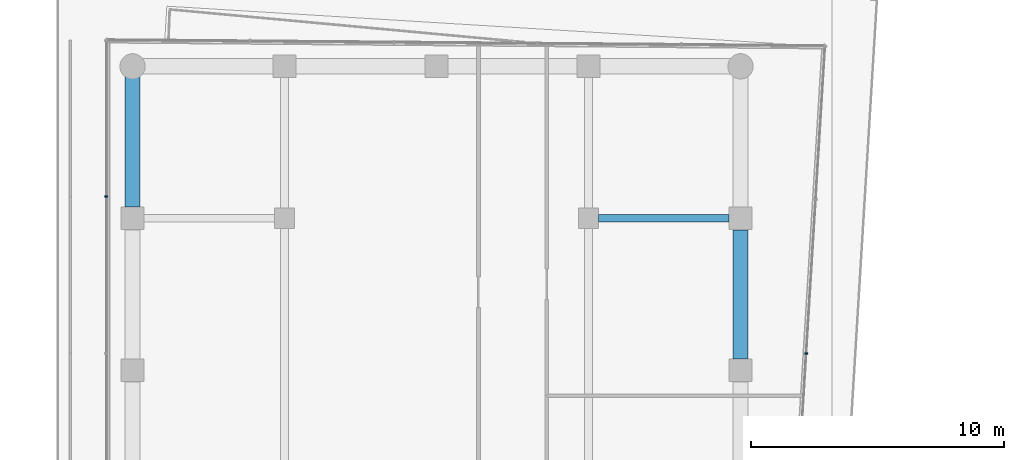
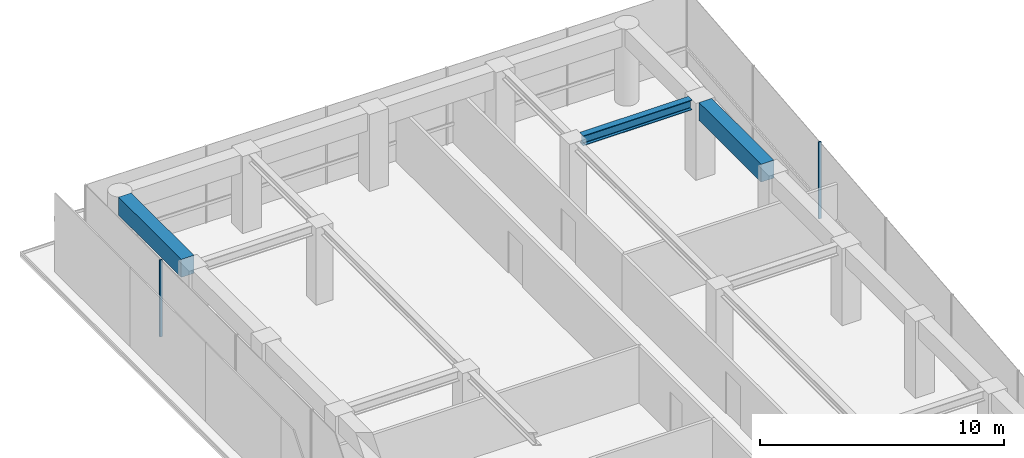
# One storey, part 17 of 24: 3 beams, 2 members, 2 elements without a shape of their own.
"""IFC4 building model written with IfcOpenShell, lengths in metres."""

from ifc_helpers import new_model, si_unit, direction, frame, origin, origin_2d, place, context, subcontext, project, spatial, rectangle, i_section, extrude, material, layer, layer_set, material_profile, profile_set, type_object, element, aggregate, save


model = new_model("IFC4")

# Units and contexts
model_context = context("Model", 3, precision=1e-05, world=origin(), true_north=direction((0.0, 1.0)))
body_context = subcontext(model_context, "Body", "Model", "MODEL_VIEW")
ifc_project = project(units=[si_unit("LENGTHUNIT", "METRE"), si_unit("AREAUNIT", "SQUARE_METRE"), si_unit("VOLUMEUNIT", "CUBIC_METRE"), si_unit("PLANEANGLEUNIT", "RADIAN"), si_unit("MASSUNIT", "GRAM", prefix="KILO")], contexts=[model_context])

# Site, building, storey
site_placement = place(None, origin())
site = spatial("IfcSite", under=ifc_project, at=site_placement, CompositionType="ELEMENT")
building_placement = place(site_placement, origin())
building = spatial("IfcBuilding", under=site, at=building_placement, Name="Welwitschia Terrace Campus", CompositionType="ELEMENT")
storey_placement = place(building_placement, frame((0.0, 0.0, 125.60009765625)))
storey = spatial("IfcBuildingStorey", under=building, at=storey_placement, Name="L28", CompositionType="ELEMENT", Elevation=125.60009765625)

# Curtain wall, member
ifc_material_1 = material(Name="Bronze anodised aluminium", Category="aluminium")
ifc_layer = layer(ifc_material_1, 0.1201171875)
ifc_layer_set = layer_set([ifc_layer], Name="Bronze anodised aluminium")
curtain_wall_type = type_object("IfcCurtainWallType", Name="Curtain wall CW2 tower 6000", PredefinedType="NOTDEFINED", material=ifc_layer_set)
curtain_wall_1_placement = place(storey_placement, origin())
curtain_wall_1 = element("IfcCurtainWall", 1, at=curtain_wall_1_placement, inside=storey, type_object=curtain_wall_type, Name="CW L28.10.0", PredefinedType="NOTDEFINED")
ifc_material_2 = material(Name="Bronze anodised aluminium", Category="aluminium")
ifc_material_profile_1 = material_profile(ifc_material_2, rectangle(XDim=0.1201171875, YDim=0.06005859375, at=origin_2d()))
ifc_profile_set_1 = profile_set([ifc_material_profile_1], Name="Bronze anodised aluminium")
member_type = type_object("IfcMemberType", Name="Mullion 60x120", PredefinedType="MULLION", material=ifc_profile_set_1)
member_1_placement = place(storey_placement, frame((26.5927734375, 58.660888671875, 0.0), z_axis=(0.0, 0.0, 1.0), x_axis=(-0.998134798422, 0.061048539535, 0.0)))
member_1 = element("IfcMember", 2, at=member_1_placement, type_object=member_type, Name="Mullion L28.10.0.4", PredefinedType="MULLION", context=body_context, shape_type="SweptSolid", body=[
    extrude(rectangle(XDim=0.1201171875, YDim=0.06005859375, at=origin_2d()), origin(), (0.0, 0.0, 1.0), 3.849853515625),
])
aggregate(curtain_wall_1, [member_1])

curtain_wall_2_placement = place(storey_placement, origin())
curtain_wall_2 = element("IfcCurtainWall", 3, at=curtain_wall_2_placement, inside=storey, type_object=curtain_wall_type, Name="CW L28.12.0", PredefinedType="NOTDEFINED")
member_2_placement = place(storey_placement, frame((-1.030029296875, 64.85791015625, 0.0), z_axis=(0.0, 0.0, 1.0), x_axis=(1.0, 0.0, 0.0)))
member_2 = element("IfcMember", 4, at=member_2_placement, type_object=member_type, Name="Mullion L28.12.0.1", PredefinedType="MULLION", context=body_context, shape_type="SweptSolid", body=[
    extrude(rectangle(XDim=0.1201171875, YDim=0.06005859375, at=origin_2d()), origin(), (0.0, 0.0, 1.0), 3.849853515625),
])
aggregate(curtain_wall_2, [member_2])

# Beams
ifc_material_3 = material(Name="Steel S355", Category="steel")
ifc_material_profile_2 = material_profile(ifc_material_3, i_section(OverallWidth=0.300048828125, OverallDepth=0.5, WebThickness=0.014404296875, FlangeThickness=0.028076171875, FilletRadius=0.027099609375, at=origin_2d()))
ifc_profile_set_2 = profile_set([ifc_material_profile_2], Name="Steel S355")
beam_type_1 = type_object("IfcBeamType", Name="Primary beam HE 500 B", PredefinedType="BEAM", material=ifc_profile_set_2)
beam_1_placement = place(storey_placement, frame((23.549560546875, 64.0, 3.599853515625), z_axis=(-1.0, 0.0, 0.0), x_axis=(0.0, -1.0, 0.0)))
element("IfcBeam", 5, at=beam_1_placement, inside=storey, type_object=beam_type_1, Name="Primary beam PB3", PredefinedType="BEAM", context=body_context, shape_type="SweptSolid", body=[
    extrude(i_section(OverallWidth=0.300048828125, OverallDepth=0.5, WebThickness=0.014404296875, FlangeThickness=0.028076171875, FilletRadius=0.027099609375, at=origin_2d()), origin(), (0.0, 0.0, 1.0), 5.149169921875),
])
ifc_material_4 = material(Name="Concrete C60/75", Category="concrete")
ifc_material_profile_3 = material_profile(ifc_material_4, rectangle(XDim=0.60009765625, YDim=0.89990234375, at=origin_2d()))
ifc_profile_set_3 = profile_set([ifc_material_profile_3], Name="Concrete C60/75")
beam_type_2 = type_object("IfcBeamType", Name="Ring spandrel 600x900", PredefinedType="SPANDREL", material=ifc_profile_set_3)
beam_2_placement = place(storey_placement, frame((24.0, 58.450439453125, 3.39990234375), z_axis=(0.0, 1.0, 0.0), x_axis=(-1.0, 0.0, 0.0)))
element("IfcBeam", 6, at=beam_2_placement, inside=storey, type_object=beam_type_2, Name="Spandrel SP2", PredefinedType="SPANDREL", context=body_context, shape_type="SweptSolid", body=[
    extrude(rectangle(XDim=0.60009765625, YDim=0.89990234375, at=origin_2d()), origin(), (0.0, 0.0, 1.0), 5.09912109375),
])
beam_3_placement = place(storey_placement, frame((0.0, 69.599609375, 3.39990234375), z_axis=(0.0, -1.0, 0.0), x_axis=(1.0, 0.0, 0.0)))
element("IfcBeam", 7, at=beam_3_placement, inside=storey, type_object=beam_type_2, Name="Spandrel SP2", PredefinedType="SPANDREL", context=body_context, shape_type="SweptSolid", body=[
    extrude(rectangle(XDim=0.60009765625, YDim=0.89990234375, at=origin_2d()), origin(), (0.0, 0.0, 1.0), 5.149169921875),
])

save(model, "model.ifc")
